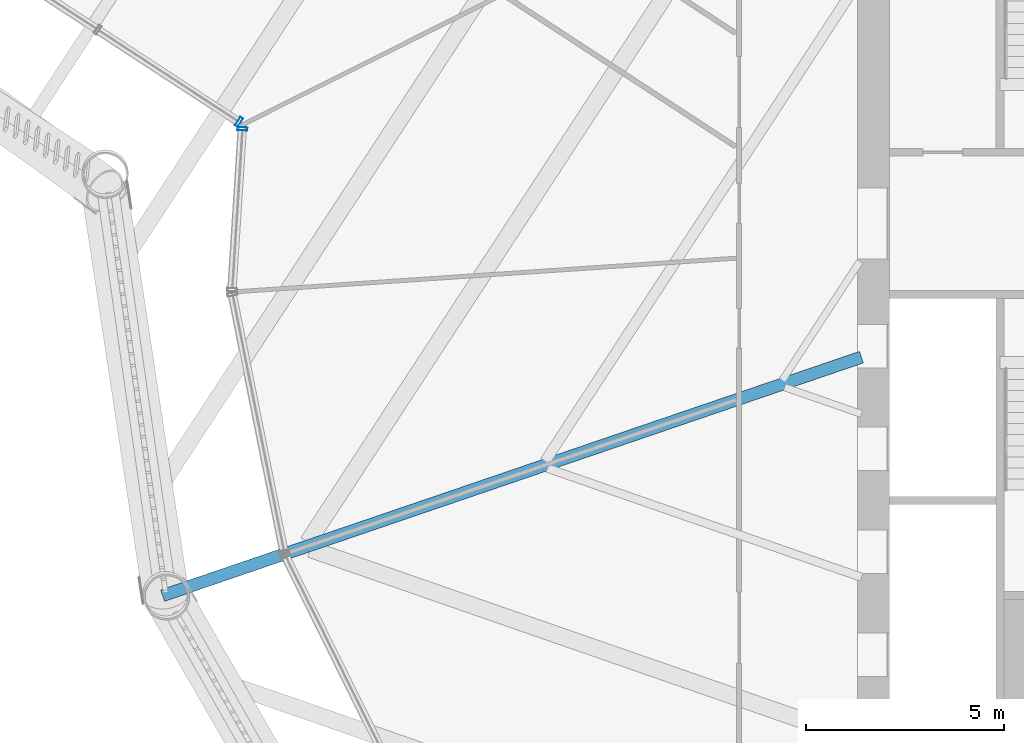
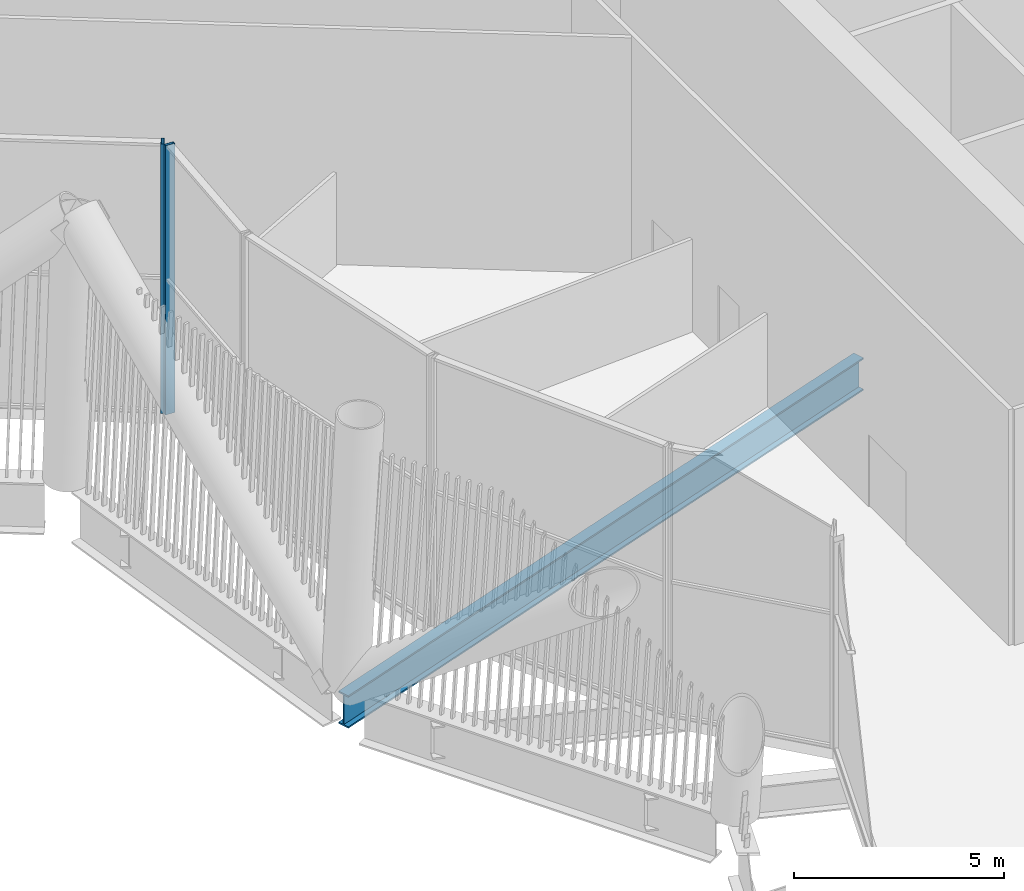
# One storey, part 14 of 63: 2 members, 1 beam, 2 elements without a shape of their own.
"""IFC4 building model written with IfcOpenShell, lengths in metres."""

from ifc_helpers import new_model, si_unit, direction, frame, origin, origin_2d, place, context, subcontext, project, spatial, hollow_rectangle, i_section, extrude, material, layer, layer_set, material_profile, profile_set, type_object, element, aggregate, save


model = new_model("IFC4")

# Units and contexts
model_context = context("Model", 3, precision=1e-05, world=origin(), true_north=direction((0.0, 1.0)))
body_context = subcontext(model_context, "Body", "Model", "MODEL_VIEW")
ifc_project = project(units=[si_unit("LENGTHUNIT", "METRE"), si_unit("AREAUNIT", "SQUARE_METRE"), si_unit("VOLUMEUNIT", "CUBIC_METRE"), si_unit("PLANEANGLEUNIT", "RADIAN"), si_unit("MASSUNIT", "GRAM", prefix="KILO")], contexts=[model_context])

# Site, building, storey
site_placement = place(None, origin())
site = spatial("IfcSite", under=ifc_project, at=site_placement, CompositionType="ELEMENT")
building_placement = place(site_placement, origin())
building = spatial("IfcBuilding", under=site, at=building_placement, Name="Tarsis Ring Headquarters", CompositionType="ELEMENT")
storey_placement = place(building_placement, frame((0.0, 0.0, 139.60009765625)))
storey = spatial("IfcBuildingStorey", under=building, at=storey_placement, Name="L32", CompositionType="ELEMENT", Elevation=139.60009765625)

# Curtain wall, member
ifc_material_1 = material(Name="Aluminium curtain wall", Category="aluminium")
ifc_layer = layer(ifc_material_1, 0.25)
ifc_layer_set = layer_set([ifc_layer], Name="Curtain wall sky lobby")
curtain_wall_type = type_object("IfcCurtainWallType", Name="Curtain wall sky lobby", PredefinedType="NOTDEFINED", material=ifc_layer_set)
curtain_wall_1_placement = place(storey_placement, origin())
curtain_wall_1 = element("IfcCurtainWall", 1, at=curtain_wall_1_placement, inside=storey, type_object=curtain_wall_type, Name="Curtain wall L32-01", PredefinedType="NOTDEFINED")
ifc_material_2 = material(Name="Aluminium mullion", Category="aluminium")
ifc_material_profile_1 = material_profile(ifc_material_2, hollow_rectangle(XDim=0.25, YDim=0.080078125, WallThickness=0.0048828125, at=origin_2d()), Name="RHS 250x80x5")
ifc_profile_set_1 = profile_set([ifc_material_profile_1], Name="Aluminium mullion")
member_type = type_object("IfcMemberType", Name="Curtain wall mullion sky lobby RHS 250x80x5", PredefinedType="MULLION", material=ifc_profile_set_1)
member_1_placement = place(storey_placement, frame((-25.63916015625, 2.567138671875, 0.0), z_axis=(0.0, 0.0, 1.0), x_axis=(0.546978993115, 0.837146331946, 0.0)))
member_1 = element("IfcMember", 2, at=member_1_placement, type_object=member_type, Name="CW-S mullion 4", PredefinedType="MULLION", context=body_context, shape_type="SweptSolid", body=[
    extrude(hollow_rectangle(XDim=0.25, YDim=0.080078125, WallThickness=0.0048828125, at=origin_2d()), origin(), (0.0, 0.0, 1.0), 7.83984375),
])
aggregate(curtain_wall_1, [member_1])

curtain_wall_2_placement = place(storey_placement, origin())
curtain_wall_2 = element("IfcCurtainWall", 3, at=curtain_wall_2_placement, inside=storey, type_object=curtain_wall_type, Name="Curtain wall L32-02", PredefinedType="NOTDEFINED")
member_2_placement = place(storey_placement, frame((-25.552001953125, 2.392822265625, 0.0), z_axis=(0.0, 0.0, 1.0), x_axis=(0.997960435556, -0.063835484378, 0.0)))
member_2 = element("IfcMember", 4, at=member_2_placement, type_object=member_type, Name="CW-S mullion 1", PredefinedType="MULLION", context=body_context, shape_type="SweptSolid", body=[
    extrude(hollow_rectangle(XDim=0.25, YDim=0.080078125, WallThickness=0.0048828125, at=origin_2d()), origin(), (0.0, 0.0, 1.0), 7.83984375),
])
aggregate(curtain_wall_2, [member_2])

# Beam
ifc_material_3 = material(Name="Structural steel S355", Category="steel")
ifc_material_profile_2 = material_profile(ifc_material_3, i_section(OverallWidth=0.309814453125, OverallDepth=0.949951171875, WebThickness=0.0244140625, FlangeThickness=0.0439453125, at=origin_2d()), Name="W36x256")
ifc_profile_set_2 = profile_set([ifc_material_profile_2], Name="Structural steel S355")
beam_type = type_object("IfcBeamType", Name="FB Floor beam W36x256 spine", PredefinedType="BEAM", material=ifc_profile_set_2)
beam_placement = place(storey_placement, frame((-9.9052734375, -3.3798828125, -0.775146484375), z_axis=(-0.94642582039, -0.322921300784, 0.0), x_axis=(0.322921300784, -0.94642582039, 0.0)))
element("IfcBeam", 5, at=beam_placement, inside=storey, type_object=beam_type, Name="Floor beam SB11", PredefinedType="BEAM", context=body_context, shape_type="SweptSolid", body=[
    extrude(i_section(OverallWidth=0.309814453125, OverallDepth=0.949951171875, WebThickness=0.0244140625, FlangeThickness=0.0439453125, at=origin_2d()), origin(), (0.0, 0.0, 1.0), 18.667236328125),
])

save(model, "model.ifc")
